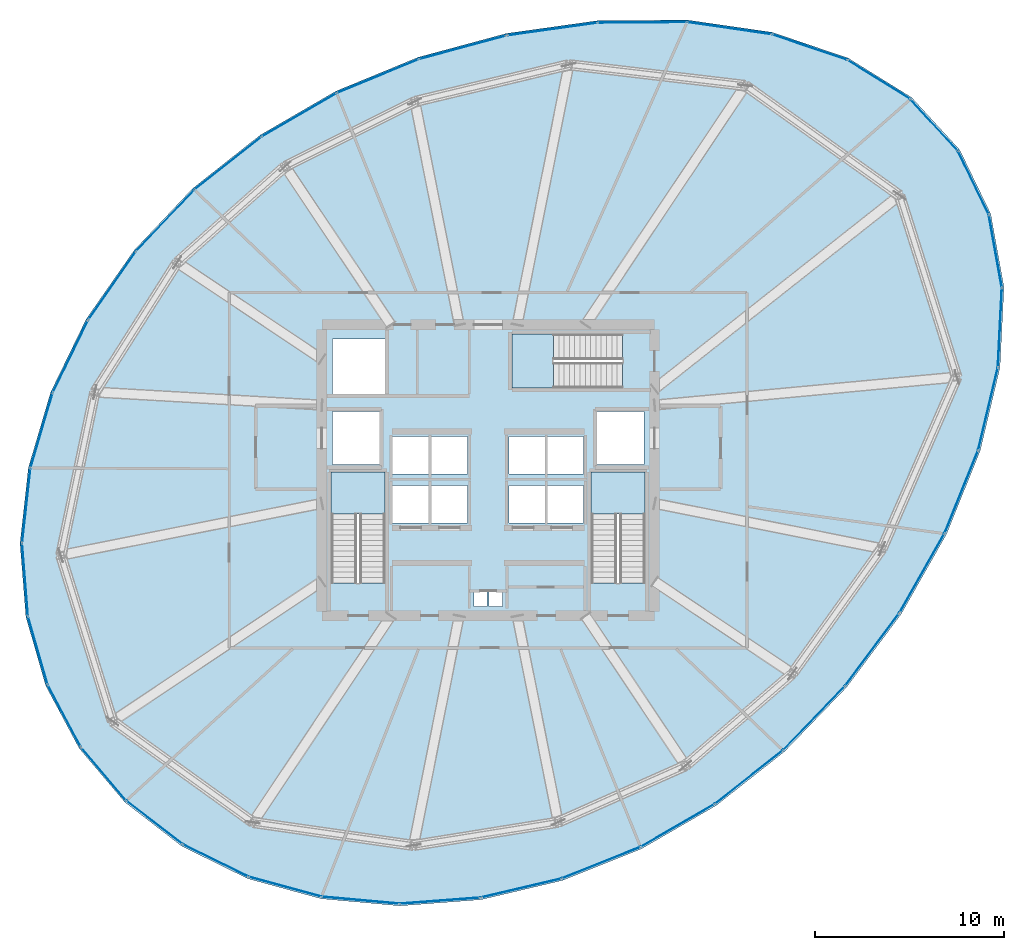
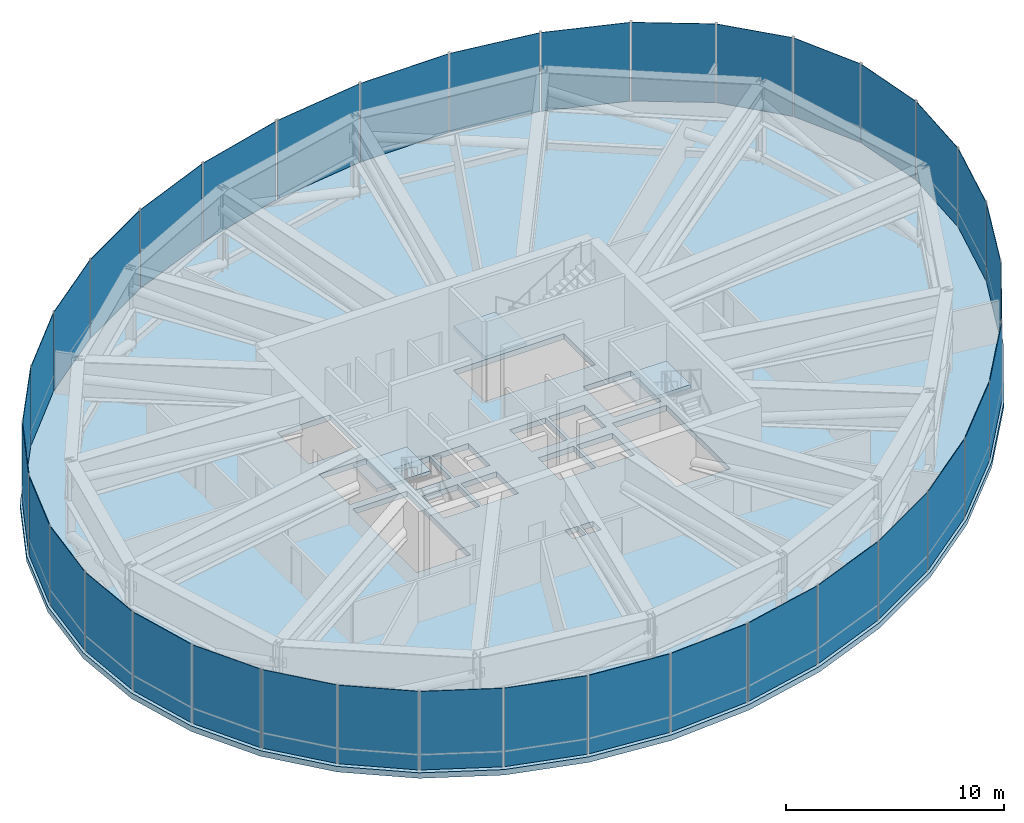
# One storey, part 24 of 30: 36 plates, 4 slabs, 9 elements without a shape of their own.
"""IFC4 building model written with IfcOpenShell, lengths in metres."""

import ifcopenshell
import ifcopenshell.guid

model = None  # the IFC model being written
_history = None  # IfcOwnerHistory: only IFC2X3 demands one
_inside = {}  # id of a spatial element -> (the spatial element, [elements in it])
_under = {}  # id of a project, library or spatial element -> (it, [spatial elements below it])
_declared = {}  # id of a project -> (the project, [libraries it declares])
_typed = {}  # id of a type object -> (the type object, [elements of that type])
_made_of = {}  # id of a material, layer set ... -> (it, [elements and type objects made of it])


def new_model(schema):
    """Start an empty IFC model of exactly this schema.

    Asked for "IFC4X3", IfcOpenShell would pick the latest addendum, in which some entities
    have other attributes; the version numbers below select the first issue.
    IFC2X3 requires an IfcOwnerHistory on every rooted entity: one is made here for all.
    """
    global model, _history
    if schema == "IFC4X3":
        model = ifcopenshell.file(schema_version=(4, 3, 0, 0))
    else:
        model = ifcopenshell.file(schema=schema)
    _inside.clear()
    _under.clear()
    _declared.clear()
    _typed.clear()
    _made_of.clear()
    _history = None
    if model.schema == "IFC2X3":
        org = make("IfcOrganization", Name="unknown")
        user = make(
            "IfcPersonAndOrganization",
            ThePerson=make("IfcPerson", FamilyName="unknown"),
            TheOrganization=org,
        )
        app = make(
            "IfcApplication",
            ApplicationDeveloper=org,
            Version="unknown",
            ApplicationFullName="unknown",
            ApplicationIdentifier="unknown",
        )
        _history = make(
            "IfcOwnerHistory",
            OwningUser=user,
            OwningApplication=app,
            ChangeAction="ADDED",
            CreationDate=0,
        )
    return model


def make(cls, **values):
    """One entity of the class cls with the attributes given. An attribute that is None is left unset."""
    return model.create_entity(
        cls, **{name: value for name, value in values.items() if value is not None}
    )


def rooted(cls, **values):
    """An entity with a GlobalId (a new one), such as an element, a storey or a relation."""
    return make(cls, GlobalId=ifcopenshell.guid.new(), OwnerHistory=_history, **values)


def si_unit(unit_type, name, prefix=None):
    """IfcSIUnit, for example si_unit("LENGTHUNIT", "METRE", prefix="MILLI")."""
    return make("IfcSIUnit", UnitType=unit_type, Prefix=prefix, Name=name)


def assignment(units):
    """IfcUnitAssignment: the units of a project."""
    return None if units is None else make("IfcUnitAssignment", Units=units)


def point(xyz):
    """IfcCartesianPoint."""
    return None if xyz is None else make("IfcCartesianPoint", Coordinates=xyz)


def direction(xyz):
    """IfcDirection."""
    return None if xyz is None else make("IfcDirection", DirectionRatios=xyz)


def frame(location, z_axis=None, x_axis=None):
    """IfcAxis2Placement3D, a coordinate frame: its origin and axes. An axis left out is left unset."""
    return make(
        "IfcAxis2Placement3D",
        Location=point(location),
        Axis=direction(z_axis),
        RefDirection=direction(x_axis),
    )


def frame_2d(location, x_axis=None):
    """IfcAxis2Placement2D, a coordinate frame in the plane: its origin and x axis."""
    return make(
        "IfcAxis2Placement2D", Location=point(location), RefDirection=direction(x_axis)
    )


def origin():
    """The frame at (0, 0, 0) with its axes left unset."""
    return frame((0.0, 0.0, 0.0))


def origin_2d():
    """The frame at (0, 0) in the plane with its x axis left unset."""
    return frame_2d((0.0, 0.0))


def place(relative_to, where):
    """IfcLocalPlacement: puts the frame where relative to a parent placement (None: the world)."""
    return make(
        "IfcLocalPlacement", PlacementRelTo=relative_to, RelativePlacement=where
    )


def context(
    kind, dimensions, precision=None, world=None, true_north=None, identifier=None
):
    """IfcGeometricRepresentationContext, for example the 3D "Model" context."""
    return make(
        "IfcGeometricRepresentationContext",
        ContextIdentifier=identifier,
        ContextType=kind,
        CoordinateSpaceDimension=dimensions,
        Precision=precision,
        WorldCoordinateSystem=world,
        TrueNorth=true_north,
    )


def subcontext(parent, identifier, kind, view, scale=None):
    """IfcGeometricRepresentationSubContext, for example "Body" below "Model"."""
    return make(
        "IfcGeometricRepresentationSubContext",
        ContextIdentifier=identifier,
        ContextType=kind,
        ParentContext=parent,
        TargetScale=scale,
        TargetView=view,
    )


def project(units=None, contexts=None):
    """IfcProject with its units and contexts."""
    return rooted(
        "IfcProject",
        Name="project",
        RepresentationContexts=contexts,
        UnitsInContext=assignment(units),
    )


def spatial(cls, under=None, at=None, **own):
    """A site, building, storey or space (cls), placed at a placement, below another one or the project."""
    s = rooted(cls, ObjectPlacement=at, **own)
    if under is not None:
        _under.setdefault(under.id(), (under, []))[1].append(s)
    return s


def polyline(points):
    """IfcPolyline through the points."""
    return make("IfcPolyline", Points=[point(p) for p in points])


def profile(cls, at=None, kind="AREA", **sizes):
    """A parametric profile (cls). Its sizes go by their IFC names, for example OverallWidth=200.0."""
    return make(cls, ProfileType=kind, Position=at, **sizes)


def rectangle(**sizes):
    """IfcRectangleProfileDef."""
    return profile("IfcRectangleProfileDef", **sizes)


def outline(outer, holes=None, kind="AREA"):
    """IfcArbitraryClosedProfileDef: a profile drawn as a closed curve; with holes, ...WithVoids."""
    if holes is None:
        return make("IfcArbitraryClosedProfileDef", ProfileType=kind, OuterCurve=outer)
    return make(
        "IfcArbitraryProfileDefWithVoids",
        ProfileType=kind,
        OuterCurve=outer,
        InnerCurves=holes,
    )


def extrude(swept, where, along, depth):
    """IfcExtrudedAreaSolid: the profile swept, set in the frame where, extruded along a direction by depth."""
    return make(
        "IfcExtrudedAreaSolid",
        SweptArea=swept,
        Position=where,
        ExtrudedDirection=direction(along),
        Depth=depth,
    )


def shape(context_of_items, identifier, shape_type, items):
    """IfcShapeRepresentation: the items that make up one representation, for example the "Body"."""
    return make(
        "IfcShapeRepresentation",
        ContextOfItems=context_of_items,
        RepresentationIdentifier=identifier,
        RepresentationType=shape_type,
        Items=items,
    )


def source(mapping_origin, context_of_items, identifier, shape_type, items):
    """IfcRepresentationMap: a shape defined once, which mapped items show again and again."""
    return make(
        "IfcRepresentationMap",
        MappingOrigin=mapping_origin,
        MappedRepresentation=shape(context_of_items, identifier, shape_type, items),
    )


def transform(
    local_origin,
    x_axis=None,
    y_axis=None,
    z_axis=None,
    scale=None,
    scale2=None,
    scale3=None,
    uniform=True,
):
    """IfcCartesianTransformationOperator3D, or its non-uniform kind. x_axis, y_axis, z_axis: its Axis1, 2, 3."""
    if uniform:
        return make(
            "IfcCartesianTransformationOperator3D",
            Axis1=direction(x_axis),
            Axis2=direction(y_axis),
            LocalOrigin=point(local_origin),
            Scale=scale,
            Axis3=direction(z_axis),
        )
    return make(
        "IfcCartesianTransformationOperator3DnonUniform",
        Axis1=direction(x_axis),
        Axis2=direction(y_axis),
        LocalOrigin=point(local_origin),
        Scale=scale,
        Axis3=direction(z_axis),
        Scale2=scale2,
        Scale3=scale3,
    )


def mapped(mapping_source, mapping_target):
    """IfcMappedItem: shows the shape of a source again, moved by a transform."""
    return make(
        "IfcMappedItem", MappingSource=mapping_source, MappingTarget=mapping_target
    )


def material(Name=None, Category=None):
    """IfcMaterial."""
    return make("IfcMaterial", Name=Name, Category=Category)


def layer(
    of_material, thickness, ventilated=None, Name=None, Category=None, Priority=None
):
    """IfcMaterialLayer: one layer of a wall or slab, of a material (None: an air gap)."""
    return make(
        "IfcMaterialLayer",
        Material=of_material,
        LayerThickness=thickness,
        IsVentilated=ventilated,
        Name=Name,
        Category=Category,
        Priority=Priority,
    )


def layer_set(layers, Name=None):
    """IfcMaterialLayerSet."""
    return make("IfcMaterialLayerSet", MaterialLayers=layers, LayerSetName=Name)


def made_of(thing, what):
    """Note that an element or type object is made of a material, layer set ...; save() writes the relation."""
    if what is not None:
        _made_of.setdefault(what.id(), (what, []))[1].append(thing)
    return thing


def type_object(cls, material=None, **own):
    """A type object (cls), such as IfcWallType, which elements share."""
    return made_of(rooted(cls, **own), material)


def element(
    cls,
    number,
    at=None,
    inside=None,
    cuts=None,
    type_object=None,
    material=None,
    context=None,
    identifier="Body",
    shape_type=None,
    held_by="IfcProductDefinitionShape",
    body=None,
    shapes=None,
    **own,
):
    """One element of the class cls, such as IfcWall. Its Tag is "e" and its number.

    at: its placement. inside: the storey or other place that contains it. cuts: it is an
    opening in that element (IfcRelVoidsElement). A single representation is given by context,
    identifier, shape_type and body (its items); several are given by shapes. held_by: the class
    of the entity that holds the representations. save() writes the other relations.
    """
    e = rooted(cls, Tag="e%d" % number, ObjectPlacement=at, **own)
    if body is not None:
        shapes = [shape(context, identifier, shape_type, body)]
    if shapes is not None:
        e.Representation = make(held_by, Representations=shapes)
    if inside is not None:
        _inside.setdefault(inside.id(), (inside, []))[1].append(e)
    if cuts is not None:
        rooted(
            "IfcRelVoidsElement", RelatingBuildingElement=cuts, RelatedOpeningElement=e
        )
    if type_object is not None:
        _typed.setdefault(type_object.id(), (type_object, []))[1].append(e)
    return made_of(e, material)


def aggregate(whole, parts):
    """IfcRelAggregates: a whole, such as a stair, and the parts it consists of."""
    return rooted("IfcRelAggregates", RelatingObject=whole, RelatedObjects=parts)


def save(model, path):
    """Write the relations noted so far, then the file.

    IfcRelAggregates (storeys below a building ...), IfcRelContainedInSpatialStructure (elements
    in a storey), IfcRelDefinesByType, IfcRelAssociatesMaterial and IfcRelDeclares: one each for
    every whole, place, type object, material and project.
    """
    for whole, parts in _under.values():
        aggregate(whole, parts)
    for where, things in _inside.values():
        rooted(
            "IfcRelContainedInSpatialStructure",
            RelatedElements=things,
            RelatingStructure=where,
        )
    for kind, things in _typed.values():
        rooted("IfcRelDefinesByType", RelatedObjects=things, RelatingType=kind)
    for what, things in _made_of.values():
        rooted("IfcRelAssociatesMaterial", RelatedObjects=things, RelatingMaterial=what)
    for by, libraries in _declared.values():
        rooted("IfcRelDeclares", RelatingContext=by, RelatedDefinitions=libraries)
    model.write(path)


model = new_model("IFC4")

# Units and contexts
model_context = context("Model", 3, precision=1e-05, world=origin(), true_north=direction((0.0, 1.0)))
body_context = subcontext(model_context, "Body", "Model", "MODEL_VIEW")
ifc_project = project(units=[si_unit("LENGTHUNIT", "METRE"), si_unit("AREAUNIT", "SQUARE_METRE"), si_unit("VOLUMEUNIT", "CUBIC_METRE"), si_unit("PLANEANGLEUNIT", "RADIAN"), si_unit("MASSUNIT", "GRAM", prefix="KILO"), si_unit("THERMODYNAMICTEMPERATUREUNIT", "KELVIN")], contexts=[model_context])

# Site, building, storey
site_placement = place(None, origin())
site = spatial("IfcSite", under=ifc_project, at=site_placement, CompositionType="ELEMENT")
building_placement = place(site_placement, origin())
building = spatial("IfcBuilding", under=site, at=building_placement, Name="Kethvar Cultural Tower", CompositionType="ELEMENT")
storey_placement = place(building_placement, frame((0.0, 0.0, 171.39990234375)))
storey = spatial("IfcBuildingStorey", under=building, at=storey_placement, Name="L44", CompositionType="ELEMENT", Elevation=171.39990234375)

# Slab
ifc_material_1 = material(Name="Concrete C50/60", Category="concrete")
ifc_layer_1 = layer(ifc_material_1, 0.31005859375, Name="Concrete C50/60", Category="concrete")
ifc_layer_set_1 = layer_set([ifc_layer_1], Name="Concrete C50/60 (310 mm)")
slab_type_1 = type_object("IfcSlabType", Name="SL-BELT-310", PredefinedType="FLOOR", material=ifc_layer_set_1)
slab_1_placement = place(storey_placement, frame((0.0, 0.0, -0.309814453125)))
element("IfcSlab", 1, at=slab_1_placement, inside=storey, type_object=slab_type_1, Name="L44 Structural Floor Slab", PredefinedType="FLOOR", context=body_context, shape_type="SweptSolid", body=[
    extrude(outline(polyline([(71.7509765625, 44.756591796875), (69.2041015625, 47.529541015625), (65.845458984375, 49.614013671875), (61.823486328125, 50.97802734375), (57.327880859375, 51.62646484375), (52.57080078125, 51.59033203125), (47.763916015625, 50.916748046875), (43.09814453125, 49.656494140625), (38.7255859375, 47.854736328125), (34.742431640625, 45.5419921875), (31.16748046875, 42.718505859375), (28.0673828125, 39.441650390625), (25.53662109375, 35.810791015625), (23.65185546875, 31.93701171875), (22.470458984375, 27.937255859375), (22.0283203125, 23.933349609375), (22.338623046875, 20.046875), (23.392333984375, 16.39599609375), (25.157470703125, 13.091796875), (27.580078125, 10.234375), (30.58642578125, 7.91064453125), (34.085693359375, 6.191162109375), (37.97119140625, 5.12841796875), (42.125, 4.75439453125), (46.4208984375, 5.080810546875), (50.72802734375, 6.097412109375), (54.916015625, 7.7734375), (58.857421875, 10.057861328125), (62.47412109375, 12.909912109375), (65.7587890625, 16.312255859375), (68.648193359375, 20.1865234375), (71.044189453125, 24.407958984375), (72.828857421875, 28.817626953125), (73.880859375, 33.236083984375), (74.09326171875, 37.477783203125), (73.3916015625, 41.367919921875), (71.7509765625, 44.756591796875)]), holes=[polyline([(38.489990234375, 21.85009765625), (38.489990234375, 27.699951171875), (41.35009765625, 27.699951171875), (41.35009765625, 21.85009765625), (38.489990234375, 21.85009765625)]), polyline([(52.25, 21.85009765625), (52.25, 27.699951171875), (55.110107421875, 27.699951171875), (55.110107421875, 21.85009765625), (52.25, 21.85009765625)]), polyline([(53.89990234375, 32.14990234375), (48.050048828125, 32.14990234375), (48.050048828125, 35.010009765625), (53.89990234375, 35.010009765625), (53.89990234375, 32.14990234375)]), polyline([(41.75, 27.0), (43.64990234375, 27.0), (43.64990234375, 25.0), (41.75, 25.0), (41.75, 27.0)]), polyline([(43.800048828125, 27.0), (45.699951171875, 27.0), (45.699951171875, 25.0), (43.800048828125, 25.0), (43.800048828125, 27.0)]), polyline([(47.89990234375, 27.0), (49.800048828125, 27.0), (49.800048828125, 25.0), (47.89990234375, 25.0), (47.89990234375, 27.0)]), polyline([(49.949951171875, 27.0), (51.85009765625, 27.0), (51.85009765625, 25.0), (49.949951171875, 25.0), (49.949951171875, 27.0)]), polyline([(41.75, 29.60009765625), (43.64990234375, 29.60009765625), (43.64990234375, 27.60009765625), (41.75, 27.60009765625), (41.75, 29.60009765625)]), polyline([(43.800048828125, 29.60009765625), (45.699951171875, 29.60009765625), (45.699951171875, 27.60009765625), (43.800048828125, 27.60009765625), (43.800048828125, 29.60009765625)]), polyline([(47.89990234375, 29.60009765625), (49.800048828125, 29.60009765625), (49.800048828125, 27.60009765625), (47.89990234375, 27.60009765625), (47.89990234375, 29.60009765625)]), polyline([(49.949951171875, 29.60009765625), (51.85009765625, 29.60009765625), (51.85009765625, 27.60009765625), (49.949951171875, 27.60009765625), (49.949951171875, 29.60009765625)]), polyline([(38.550048828125, 30.89990234375), (41.050048828125, 30.89990234375), (41.050048828125, 28.10009765625), (38.550048828125, 28.10009765625), (38.550048828125, 30.89990234375)]), polyline([(52.550048828125, 30.89990234375), (55.050048828125, 30.89990234375), (55.050048828125, 28.10009765625), (52.550048828125, 28.10009765625), (52.550048828125, 30.89990234375)]), polyline([(38.550048828125, 34.75), (41.35009765625, 34.75), (41.35009765625, 31.85009765625), (38.550048828125, 31.85009765625), (38.550048828125, 34.75)]), polyline([(46.050048828125, 21.35009765625), (46.75, 21.35009765625), (46.75, 20.60009765625), (46.050048828125, 20.60009765625), (46.050048828125, 21.35009765625)]), polyline([(46.85009765625, 21.35009765625), (47.550048828125, 21.35009765625), (47.550048828125, 20.60009765625), (46.85009765625, 20.60009765625), (46.85009765625, 21.35009765625)])]), origin(), (0.0, 0.0, 1.0), 0.309814453125),
])

# Stair, slab
ifc_material_2 = material(Name="Concrete C40/50", Category="concrete")
stair_type = type_object("IfcStairType", Name="ST-DOGLEG-135", PredefinedType="HALF_TURN_STAIR", material=ifc_material_2)
stair_1_placement = place(storey_placement, origin())
stair_1 = element("IfcStair", 2, at=stair_1_placement, inside=storey, type_object=stair_type, Name="L44 Core Exit Stair 1", PredefinedType="HALF_TURN_STAIR")
ifc_layer_2 = layer(ifc_material_2, 0.199951171875, Name="Concrete C40/50", Category="concrete")
ifc_layer_set_2 = layer_set([ifc_layer_2], Name="Concrete C40/50 (200 mm)")
slab_type_2 = type_object("IfcSlabType", Name="SL-STAIR-LANDING-200", PredefinedType="LANDING", material=ifc_layer_set_2)
slab_2_placement = place(storey_placement, frame((0.0, 0.0, 2.300048828125)))
slab_2 = element("IfcSlab", 3, at=slab_2_placement, type_object=slab_type_2, Name="ST-01 landing 1", PredefinedType="LANDING", context=body_context, shape_type="SweptSolid", body=[
    extrude(outline(polyline([(41.35009765625, 25.489990234375), (41.35009765625, 27.699951171875), (38.489990234375, 27.699951171875), (38.489990234375, 25.489990234375), (41.35009765625, 25.489990234375)])), origin(), (0.0, 0.0, 1.0), 0.199951171875),
])
aggregate(stair_1, [slab_2])

stair_2_placement = place(storey_placement, origin())
stair_2 = element("IfcStair", 4, at=stair_2_placement, inside=storey, type_object=stair_type, Name="L44 Core Exit Stair 2", PredefinedType="HALF_TURN_STAIR")
slab_3_placement = place(storey_placement, frame((0.0, 0.0, 2.300048828125)))
slab_3 = element("IfcSlab", 5, at=slab_3_placement, type_object=slab_type_2, Name="ST-02 landing 1", PredefinedType="LANDING", context=body_context, shape_type="SweptSolid", body=[
    extrude(outline(polyline([(55.110107421875, 25.489990234375), (55.110107421875, 27.699951171875), (52.25, 27.699951171875), (52.25, 25.489990234375), (55.110107421875, 25.489990234375)])), origin(), (0.0, 0.0, 1.0), 0.199951171875),
])
aggregate(stair_2, [slab_3])

stair_3_placement = place(storey_placement, origin())
stair_3 = element("IfcStair", 6, at=stair_3_placement, inside=storey, type_object=stair_type, Name="L44 Core Exit Stair 3", PredefinedType="HALF_TURN_STAIR")
slab_4_placement = place(storey_placement, frame((0.0, 0.0, 2.300048828125)))
slab_4 = element("IfcSlab", 7, at=slab_4_placement, type_object=slab_type_2, Name="ST-03 landing 1", PredefinedType="LANDING", context=body_context, shape_type="SweptSolid", body=[
    extrude(outline(polyline([(50.260009765625, 35.010009765625), (48.050048828125, 35.010009765625), (48.050048828125, 32.14990234375), (50.260009765625, 32.14990234375), (50.260009765625, 35.010009765625)])), origin(), (0.0, 0.0, 1.0), 0.199951171875),
])
aggregate(stair_3, [slab_4])

# Curtain wall, plate
ifc_material_3 = material(Name="Aluminium 6063-T6", Category="aluminium")
ifc_layer_3 = layer(ifc_material_3, 0.179931640625, Name="Aluminium 6063-T6", Category="aluminium")
ifc_layer_set_3 = layer_set([ifc_layer_3], Name="Aluminium 6063-T6 (180 mm)")
curtain_wall_type = type_object("IfcCurtainWallType", Name="CW-SYS-04-Z34", PredefinedType="NOTDEFINED", material=ifc_layer_set_3)
curtain_wall_1_placement = place(storey_placement, origin())
curtain_wall_1 = element("IfcCurtainWall", 8, at=curtain_wall_1_placement, inside=storey, type_object=curtain_wall_type, Name="L44 Curtain Wall Run 01", PredefinedType="NOTDEFINED")
ifc_material_4 = material(Name="Insulated Low-E Solar Glass", Category="glass")
ifc_layer_4 = layer(ifc_material_4, 0.030029296875, Name="Insulated Low-E Solar Glass", Category="glass")
ifc_layer_set_4 = layer_set([ifc_layer_4], Name="Insulated Low-E Solar Glass (30 mm)")
plate_type = type_object("IfcPlateType", Name="CW-SYS-04-Z34-PNL", PredefinedType="CURTAIN_PANEL", material=ifc_layer_set_4)
shared_shape_1 = source(origin(), body_context, "Body", "SweptSolid", [
    extrude(rectangle(XDim=3.6787109375, YDim=0.030029296875, at=origin_2d()), origin(), (0.0, 0.0, 1.0), 4.39990234375),
])
plate_1_placement = place(storey_placement, frame((70.396484375, 46.068603515625, 0.090087890625), z_axis=(0.0, 0.0, 1.0), x_axis=(-0.676426187298, 0.736510429755, 0.0)))
plate_1 = element("IfcPlate", 9, at=plate_1_placement, type_object=plate_type, Name="CW-L44-R01 Vision Glazing Panel 1", PredefinedType="CURTAIN_PANEL", context=body_context, shape_type="MappedRepresentation", body=[
    mapped(shared_shape_1, transform((0.0, 0.0, 0.0), scale=1.0)),
])

curtain_wall_2_placement = place(storey_placement, origin())
curtain_wall_2 = element("IfcCurtainWall", 10, at=curtain_wall_2_placement, inside=storey, type_object=curtain_wall_type, Name="L44 Curtain Wall Run 06", PredefinedType="NOTDEFINED")
plate_2_placement = place(storey_placement, frame((72.472412109375, 43.014404296875, 0.090087890625), z_axis=(0.0, 0.0, 1.0), x_axis=(-0.435796700392, 0.90004512994, 0.0)))
plate_2 = element("IfcPlate", 11, at=plate_2_placement, type_object=plate_type, Name="CW-L44-R06 Vision Glazing Panel 6", PredefinedType="CURTAIN_PANEL", context=body_context, shape_type="MappedRepresentation", body=[
    mapped(shared_shape_1, transform((0.0, 0.0, 0.0), scale=1.0)),
])

# Plate
shared_shape_2 = source(origin(), body_context, "Body", "SweptSolid", [
    extrude(rectangle(XDim=3.86669921875, YDim=0.030029296875, at=origin_2d()), origin(), (0.0, 0.0, 1.0), 4.39990234375),
])
plate_3_placement = place(storey_placement, frame((67.466796875, 48.478271484375, 0.090087890625), z_axis=(0.0, 0.0, 1.0), x_axis=(-0.849671887705, 0.527311751475, 0.0)))
plate_3 = element("IfcPlate", 12, at=plate_3_placement, type_object=plate_type, Name="CW-L44-R01 Vision Glazing Panel 2", PredefinedType="CURTAIN_PANEL", context=body_context, shape_type="MappedRepresentation", body=[
    mapped(shared_shape_2, transform((0.0, 0.0, 0.0), scale=1.0)),
])

plate_4_placement = place(storey_placement, frame((73.63427734375, 39.4033203125, 0.090087890625), z_axis=(0.0, 0.0, 1.0), x_axis=(-0.177462631241, 0.98412753976, 0.0)))
plate_4 = element("IfcPlate", 13, at=plate_4_placement, type_object=plate_type, Name="CW-L44-R06 Vision Glazing Panel 5", PredefinedType="CURTAIN_PANEL", context=body_context, shape_type="MappedRepresentation", body=[
    mapped(shared_shape_2, transform((0.0, 0.0, 0.0), scale=1.0)),
])

shared_shape_3 = source(origin(), body_context, "Body", "SweptSolid", [
    extrude(rectangle(XDim=4.16064453125, YDim=0.030029296875, at=origin_2d()), origin(), (0.0, 0.0, 1.0), 4.39990234375),
])
plate_5_placement = place(storey_placement, frame((63.799072265625, 50.19189453125, 0.090087890625), z_axis=(0.0, 0.0, 1.0), x_axis=(-0.947019855404, 0.321175019997, 0.0)))
plate_5 = element("IfcPlate", 14, at=plate_5_placement, type_object=plate_type, Name="CW-L44-R01 Vision Glazing Panel 3", PredefinedType="CURTAIN_PANEL", context=body_context, shape_type="MappedRepresentation", body=[
    mapped(shared_shape_3, transform((0.0, 0.0, 0.0), scale=1.0)),
])

plate_6_placement = place(storey_placement, frame((73.877197265625, 35.3623046875, 0.090087890625), z_axis=(0.0, 0.0, 1.0), x_axis=(0.049982847737, 0.998750076311, 0.0)))
plate_6 = element("IfcPlate", 15, at=plate_6_placement, type_object=plate_type, Name="CW-L44-R06 Vision Glazing Panel 4", PredefinedType="CURTAIN_PANEL", context=body_context, shape_type="MappedRepresentation", body=[
    mapped(shared_shape_3, transform((0.0, 0.0, 0.0), scale=1.0)),
])

shared_shape_4 = source(origin(), body_context, "Body", "SweptSolid", [
    extrude(rectangle(XDim=4.455322265625, YDim=0.030029296875, at=origin_2d()), origin(), (0.0, 0.0, 1.0), 4.39990234375),
])
plate_7_placement = place(storey_placement, frame((59.56005859375, 51.193359375, 0.090087890625), z_axis=(0.0, 0.0, 1.0), x_axis=(-0.989756306504, 0.142767131147, 0.0)))
plate_7 = element("IfcPlate", 16, at=plate_7_placement, type_object=plate_type, Name="CW-L44-R01 Vision Glazing Panel 4", PredefinedType="CURTAIN_PANEL", context=body_context, shape_type="MappedRepresentation", body=[
    mapped(shared_shape_4, transform((0.0, 0.0, 0.0), scale=1.0)),
])

shared_shape_5 = source(origin(), body_context, "Body", "SweptSolid", [
    extrude(rectangle(XDim=4.6708984375, YDim=0.030029296875, at=origin_2d()), origin(), (0.0, 0.0, 1.0), 4.39990234375),
])
plate_8_placement = place(storey_placement, frame((54.9501953125, 51.498291015625, 0.090087890625), z_axis=(0.0, 0.0, 1.0), x_axis=(-0.999971179523, -0.007592109309, 0.0)))
plate_8 = element("IfcPlate", 17, at=plate_8_placement, type_object=plate_type, Name="CW-L44-R01 Vision Glazing Panel 5", PredefinedType="CURTAIN_PANEL", context=body_context, shape_type="MappedRepresentation", body=[
    mapped(shared_shape_5, transform((0.0, 0.0, 0.0), scale=1.0)),
])

plate_9_placement = place(storey_placement, frame((71.83447265625, 26.654052734375, 0.090087890625), z_axis=(0.0, 0.0, 1.0), x_axis=(0.375156729402, 0.926961395304, 0.0)))
plate_9 = element("IfcPlate", 18, at=plate_9_placement, type_object=plate_type, Name="CW-L44-R06 Vision Glazing Panel 2", PredefinedType="CURTAIN_PANEL", context=body_context, shape_type="MappedRepresentation", body=[
    mapped(shared_shape_5, transform((0.0, 0.0, 0.0), scale=1.0)),
])

shared_shape_6 = source(origin(), body_context, "Body", "SweptSolid", [
    extrude(rectangle(XDim=4.767578125, YDim=0.030029296875, at=origin_2d()), origin(), (0.0, 0.0, 1.0), 4.39990234375),
])
plate_10_placement = place(storey_placement, frame((50.1826171875, 51.14453125, 0.090087890625), z_axis=(0.0, 0.0, 1.0), x_axis=(-0.990323856616, -0.138775570677, 0.0)))
plate_10 = element("IfcPlate", 19, at=plate_10_placement, type_object=plate_type, Name="CW-L44-R01 Vision Glazing Panel 6", PredefinedType="CURTAIN_PANEL", context=body_context, shape_type="MappedRepresentation", body=[
    mapped(shared_shape_6, transform((0.0, 0.0, 0.0), scale=1.0)),
])

aggregate(curtain_wall_1, [plate_1, plate_3, plate_5, plate_7, plate_8, plate_10])

# Curtain wall, plate
curtain_wall_3_placement = place(storey_placement, origin())
curtain_wall_3 = element("IfcCurtainWall", 20, at=curtain_wall_3_placement, inside=storey, type_object=curtain_wall_type, Name="L44 Curtain Wall Run 02", PredefinedType="NOTDEFINED")
shared_shape_7 = source(origin(), body_context, "Body", "SweptSolid", [
    extrude(rectangle(XDim=4.74658203125, YDim=0.030029296875, at=origin_2d()), origin(), (0.0, 0.0, 1.0), 4.39990234375),
])
plate_11_placement = place(storey_placement, frame((45.459716796875, 50.180419921875, 0.090087890625), z_axis=(0.0, 0.0, 1.0), x_axis=(-0.965399846653, -0.260774109302, 0.0)))
plate_11 = element("IfcPlate", 21, at=plate_11_placement, type_object=plate_type, Name="CW-L44-R02 Vision Glazing Panel 1", PredefinedType="CURTAIN_PANEL", context=body_context, shape_type="MappedRepresentation", body=[
    mapped(shared_shape_7, transform((0.0, 0.0, 0.0), scale=1.0)),
])

curtain_wall_4_placement = place(storey_placement, origin())
curtain_wall_4 = element("IfcCurtainWall", 22, at=curtain_wall_4_placement, inside=storey, type_object=curtain_wall_type, Name="L44 Curtain Wall Run 05", PredefinedType="NOTDEFINED")
plate_12_placement = place(storey_placement, frame((67.115478515625, 18.315185546875, 0.090087890625), z_axis=(0.0, 0.0, 1.0), x_axis=(0.597835030866, 0.801619158872, 0.0)))
plate_12 = element("IfcPlate", 23, at=plate_12_placement, type_object=plate_type, Name="CW-L44-R05 Vision Glazing Panel 6", PredefinedType="CURTAIN_PANEL", context=body_context, shape_type="MappedRepresentation", body=[
    mapped(shared_shape_7, transform((0.0, 0.0, 0.0), scale=1.0)),
])

# Plate
shared_shape_8 = source(origin(), body_context, "Body", "SweptSolid", [
    extrude(rectangle(XDim=4.642822265625, YDim=0.030029296875, at=origin_2d()), origin(), (0.0, 0.0, 1.0), 4.39990234375),
])
plate_13_placement = place(storey_placement, frame((40.95361328125, 48.65380859375, 0.090087890625), z_axis=(0.0, 0.0, 1.0), x_axis=(-0.924599232062, -0.380941281657, 0.0)))
plate_13 = element("IfcPlate", 24, at=plate_13_placement, type_object=plate_type, Name="CW-L44-R02 Vision Glazing Panel 2", PredefinedType="CURTAIN_PANEL", context=body_context, shape_type="MappedRepresentation", body=[
    mapped(shared_shape_8, transform((0.0, 0.0, 0.0), scale=1.0)),
])

plate_14_placement = place(storey_placement, frame((64.037353515625, 14.6875, 0.090087890625), z_axis=(0.0, 0.0, 1.0), x_axis=(0.694557924904, 0.719436785932, 0.0)))
plate_14 = element("IfcPlate", 25, at=plate_14_placement, type_object=plate_type, Name="CW-L44-R05 Vision Glazing Panel 5", PredefinedType="CURTAIN_PANEL", context=body_context, shape_type="MappedRepresentation", body=[
    mapped(shared_shape_8, transform((0.0, 0.0, 0.0), scale=1.0)),
])

shared_shape_9 = source(origin(), body_context, "Body", "SweptSolid", [
    extrude(rectangle(XDim=4.519287109375, YDim=0.030029296875, at=origin_2d()), origin(), (0.0, 0.0, 1.0), 4.39990234375),
])
plate_15_placement = place(storey_placement, frame((36.789306640625, 46.603271484375, 0.090087890625), z_axis=(0.0, 0.0, 1.0), x_axis=(-0.864792325537, -0.502129698078, 0.0)))
plate_15 = element("IfcPlate", 26, at=plate_15_placement, type_object=plate_type, Name="CW-L44-R02 Vision Glazing Panel 3", PredefinedType="CURTAIN_PANEL", context=body_context, shape_type="MappedRepresentation", body=[
    mapped(shared_shape_9, transform((0.0, 0.0, 0.0), scale=1.0)),
])

plate_16_placement = place(storey_placement, frame((60.59765625, 11.5703125, 0.090087890625), z_axis=(0.0, 0.0, 1.0), x_axis=(0.785230481404, 0.619203594204, 0.0)))
plate_16 = element("IfcPlate", 27, at=plate_16_placement, type_object=plate_type, Name="CW-L44-R05 Vision Glazing Panel 4", PredefinedType="CURTAIN_PANEL", context=body_context, shape_type="MappedRepresentation", body=[
    mapped(shared_shape_9, transform((0.0, 0.0, 0.0), scale=1.0)),
])

shared_shape_10 = source(origin(), body_context, "Body", "SweptSolid", [
    extrude(rectangle(XDim=4.46923828125, YDim=0.030029296875, at=origin_2d()), origin(), (0.0, 0.0, 1.0), 4.39990234375),
])
plate_17_placement = place(storey_placement, frame((33.023193359375, 44.0439453125, 0.090087890625), z_axis=(0.0, 0.0, 1.0), x_axis=(-0.784754735685, -0.619806425281, 0.0)))
plate_17 = element("IfcPlate", 28, at=plate_17_placement, type_object=plate_type, Name="CW-L44-R02 Vision Glazing Panel 4", PredefinedType="CURTAIN_PANEL", context=body_context, shape_type="MappedRepresentation", body=[
    mapped(shared_shape_10, transform((0.0, 0.0, 0.0), scale=1.0)),
])

plate_18_placement = place(storey_placement, frame((56.83154296875, 9.0107421875, 0.090087890625), z_axis=(0.0, 0.0, 1.0), x_axis=(0.865177678425, 0.50146543725, 0.0)))
plate_18 = element("IfcPlate", 29, at=plate_18_placement, type_object=plate_type, Name="CW-L44-R05 Vision Glazing Panel 3", PredefinedType="CURTAIN_PANEL", context=body_context, shape_type="MappedRepresentation", body=[
    mapped(shared_shape_10, transform((0.0, 0.0, 0.0), scale=1.0)),
])

shared_shape_11 = source(origin(), body_context, "Body", "SweptSolid", [
    extrude(rectangle(XDim=4.42431640625, YDim=0.030029296875, at=origin_2d()), origin(), (0.0, 0.0, 1.0), 4.39990234375),
])
plate_19_placement = place(storey_placement, frame((29.697509765625, 41.00439453125, 0.090087890625), z_axis=(0.0, 0.0, 1.0), x_axis=(-0.687226990464, -0.726442746249, 0.0)))
plate_19 = element("IfcPlate", 30, at=plate_19_placement, type_object=plate_type, Name="CW-L44-R02 Vision Glazing Panel 5", PredefinedType="CURTAIN_PANEL", context=body_context, shape_type="MappedRepresentation", body=[
    mapped(shared_shape_11, transform((0.0, 0.0, 0.0), scale=1.0)),
])

shared_shape_12 = source(origin(), body_context, "Body", "SweptSolid", [
    extrude(rectangle(XDim=4.33935546875, YDim=0.030029296875, at=origin_2d()), origin(), (0.0, 0.0, 1.0), 4.39990234375),
])
plate_20_placement = place(storey_placement, frame((26.89208984375, 37.563232421875, 0.090087890625), z_axis=(0.0, 0.0, 1.0), x_axis=(-0.571859551582, -0.820351542489, 0.0)))
plate_20 = element("IfcPlate", 31, at=plate_20_placement, type_object=plate_type, Name="CW-L44-R02 Vision Glazing Panel 6", PredefinedType="CURTAIN_PANEL", context=body_context, shape_type="MappedRepresentation", body=[
    mapped(shared_shape_12, transform((0.0, 0.0, 0.0), scale=1.0)),
])

aggregate(curtain_wall_3, [plate_11, plate_13, plate_15, plate_17, plate_19, plate_20])

# Curtain wall, plate
curtain_wall_5_placement = place(storey_placement, origin())
curtain_wall_5 = element("IfcCurtainWall", 32, at=curtain_wall_5_placement, inside=storey, type_object=curtain_wall_type, Name="L44 Curtain Wall Run 03", PredefinedType="NOTDEFINED")
shared_shape_13 = source(origin(), body_context, "Body", "SweptSolid", [
    extrude(rectangle(XDim=4.2216796875, YDim=0.030029296875, at=origin_2d()), origin(), (0.0, 0.0, 1.0), 4.39990234375),
])
plate_21_placement = place(storey_placement, frame((24.693115234375, 33.82568359375, 0.090087890625), z_axis=(0.0, 0.0, 1.0), x_axis=(-0.437492470283, -0.899222074043, 0.0)))
plate_21 = element("IfcPlate", 33, at=plate_21_placement, type_object=plate_type, Name="CW-L44-R03 Vision Glazing Panel 1", PredefinedType="CURTAIN_PANEL", context=body_context, shape_type="MappedRepresentation", body=[
    mapped(shared_shape_13, transform((0.0, 0.0, 0.0), scale=1.0)),
])

curtain_wall_6_placement = place(storey_placement, origin())
curtain_wall_6 = element("IfcCurtainWall", 34, at=curtain_wall_6_placement, inside=storey, type_object=curtain_wall_type, Name="L44 Curtain Wall Run 04", PredefinedType="NOTDEFINED")
plate_22_placement = place(storey_placement, frame((44.264404296875, 5.02734375, 0.090087890625), z_axis=(0.0, 0.0, 1.0), x_axis=(0.997127259962, 0.075744487851, 0.0)))
plate_22 = element("IfcPlate", 35, at=plate_22_placement, type_object=plate_type, Name="CW-L44-R04 Vision Glazing Panel 6", PredefinedType="CURTAIN_PANEL", context=body_context, shape_type="MappedRepresentation", body=[
    mapped(shared_shape_13, transform((0.0, 0.0, 0.0), scale=1.0)),
])

# Plate
shared_shape_14 = source(origin(), body_context, "Body", "SweptSolid", [
    extrude(rectangle(XDim=4.083984375, YDim=0.030029296875, at=origin_2d()), origin(), (0.0, 0.0, 1.0), 4.39990234375),
])
plate_23_placement = place(storey_placement, frame((23.16650390625, 29.906005859375, 0.090087890625), z_axis=(0.0, 0.0, 1.0), x_axis=(-0.283278940331, -0.959037560247, 0.0)))
plate_23 = element("IfcPlate", 36, at=plate_23_placement, type_object=plate_type, Name="CW-L44-R03 Vision Glazing Panel 2", PredefinedType="CURTAIN_PANEL", context=body_context, shape_type="MappedRepresentation", body=[
    mapped(shared_shape_14, transform((0.0, 0.0, 0.0), scale=1.0)),
])

shared_shape_15 = source(origin(), body_context, "Body", "SweptSolid", [
    extrude(rectangle(XDim=3.94189453125, YDim=0.030029296875, at=origin_2d()), origin(), (0.0, 0.0, 1.0), 4.39990234375),
])
plate_24_placement = place(storey_placement, frame((22.358642578125, 25.923095703125, 0.090087890625), z_axis=(0.0, 0.0, 1.0), x_axis=(-0.109769006807, -0.9939571244, 0.0)))
plate_24 = element("IfcPlate", 37, at=plate_24_placement, type_object=plate_type, Name="CW-L44-R03 Vision Glazing Panel 3", PredefinedType="CURTAIN_PANEL", context=body_context, shape_type="MappedRepresentation", body=[
    mapped(shared_shape_15, transform((0.0, 0.0, 0.0), scale=1.0)),
])

plate_25_placement = place(storey_placement, frame((36.0576171875, 5.765869140625, 0.090087890625), z_axis=(0.0, 0.0, 1.0), x_axis=(0.964566628777, -0.263839380399, 0.0)))
plate_25 = element("IfcPlate", 38, at=plate_25_placement, type_object=plate_type, Name="CW-L44-R04 Vision Glazing Panel 4", PredefinedType="CURTAIN_PANEL", context=body_context, shape_type="MappedRepresentation", body=[
    mapped(shared_shape_15, transform((0.0, 0.0, 0.0), scale=1.0)),
])

shared_shape_16 = source(origin(), body_context, "Body", "SweptSolid", [
    extrude(rectangle(XDim=3.8125, YDim=0.030029296875, at=origin_2d()), origin(), (0.0, 0.0, 1.0), 4.39990234375),
])
plate_26_placement = place(storey_placement, frame((22.293212890625, 21.998779296875, 0.090087890625), z_axis=(0.0, 0.0, 1.0), x_axis=(0.079642205503, -0.996823514521, 0.0)))
plate_26 = element("IfcPlate", 39, at=plate_26_placement, type_object=plate_type, Name="CW-L44-R03 Vision Glazing Panel 4", PredefinedType="CURTAIN_PANEL", context=body_context, shape_type="MappedRepresentation", body=[
    mapped(shared_shape_16, transform((0.0, 0.0, 0.0), scale=1.0)),
])

plate_27_placement = place(storey_placement, frame((32.384521484375, 7.149658203125, 0.090087890625), z_axis=(0.0, 0.0, 1.0), x_axis=(0.897504813107, -0.441004660349, 0.0)))
plate_27 = element("IfcPlate", 40, at=plate_27_placement, type_object=plate_type, Name="CW-L44-R04 Vision Glazing Panel 3", PredefinedType="CURTAIN_PANEL", context=body_context, shape_type="MappedRepresentation", body=[
    mapped(shared_shape_16, transform((0.0, 0.0, 0.0), scale=1.0)),
])

shared_shape_17 = source(origin(), body_context, "Body", "SweptSolid", [
    extrude(rectangle(XDim=3.71337890625, YDim=0.030029296875, at=origin_2d()), origin(), (0.0, 0.0, 1.0), 4.39990234375),
])
plate_28_placement = place(storey_placement, frame((22.97119140625, 18.251953125, 0.090087890625), z_axis=(0.0, 0.0, 1.0), x_axis=(0.277297884501, -0.960783994065, 0.0)))
plate_28 = element("IfcPlate", 41, at=plate_28_placement, type_object=plate_type, Name="CW-L44-R03 Vision Glazing Panel 5", PredefinedType="CURTAIN_PANEL", context=body_context, shape_type="MappedRepresentation", body=[
    mapped(shared_shape_17, transform((0.0, 0.0, 0.0), scale=1.0)),
])

plate_29_placement = place(storey_placement, frame((29.150390625, 9.159423828125, 0.090087890625), z_axis=(0.0, 0.0, 1.0), x_axis=(0.791223532967, -0.611527040186, 0.0)))
plate_29 = element("IfcPlate", 42, at=plate_29_placement, type_object=plate_type, Name="CW-L44-R04 Vision Glazing Panel 2", PredefinedType="CURTAIN_PANEL", context=body_context, shape_type="MappedRepresentation", body=[
    mapped(shared_shape_17, transform((0.0, 0.0, 0.0), scale=1.0)),
])

shared_shape_18 = source(origin(), body_context, "Body", "SweptSolid", [
    extrude(rectangle(XDim=3.659912109375, YDim=0.030029296875, at=origin_2d()), origin(), (0.0, 0.0, 1.0), 4.39990234375),
])
plate_30_placement = place(storey_placement, frame((24.371826171875, 14.795654296875, 0.090087890625), z_axis=(0.0, 0.0, 1.0), x_axis=(0.471150439572, -0.882052868762, 0.0)))
plate_30 = element("IfcPlate", 43, at=plate_30_placement, type_object=plate_type, Name="CW-L44-R03 Vision Glazing Panel 6", PredefinedType="CURTAIN_PANEL", context=body_context, shape_type="MappedRepresentation", body=[
    mapped(shared_shape_18, transform((0.0, 0.0, 0.0), scale=1.0)),
])

aggregate(curtain_wall_5, [plate_21, plate_23, plate_24, plate_26, plate_28, plate_30])

plate_31_placement = place(storey_placement, frame((26.45263671875, 11.734130859375, 0.090087890625), z_axis=(0.0, 0.0, 1.0), x_axis=(0.646683284618, -0.762758631151, 0.0)))
plate_31 = element("IfcPlate", 44, at=plate_31_placement, type_object=plate_type, Name="CW-L44-R04 Vision Glazing Panel 1", PredefinedType="CURTAIN_PANEL", context=body_context, shape_type="MappedRepresentation", body=[
    mapped(shared_shape_18, transform((0.0, 0.0, 0.0), scale=1.0)),
])

shared_shape_19 = source(origin(), body_context, "Body", "SweptSolid", [
    extrude(rectangle(XDim=4.084228515625, YDim=0.030029296875, at=origin_2d()), origin(), (0.0, 0.0, 1.0), 4.39990234375),
])
plate_32_placement = place(storey_placement, frame((40.057861328125, 5.051025390625, 0.090087890625), z_axis=(0.0, 0.0, 1.0), x_axis=(0.995972505796, -0.089659175206, 0.0)))
plate_32 = element("IfcPlate", 45, at=plate_32_placement, type_object=plate_type, Name="CW-L44-R04 Vision Glazing Panel 5", PredefinedType="CURTAIN_PANEL", context=body_context, shape_type="MappedRepresentation", body=[
    mapped(shared_shape_19, transform((0.0, 0.0, 0.0), scale=1.0)),
])

aggregate(curtain_wall_6, [plate_31, plate_29, plate_27, plate_25, plate_32, plate_22])

shared_shape_20 = source(origin(), body_context, "Body", "SweptSolid", [
    extrude(rectangle(XDim=4.339111328125, YDim=0.030029296875, at=origin_2d()), origin(), (0.0, 0.0, 1.0), 4.39990234375),
])
plate_33_placement = place(storey_placement, frame((48.54931640625, 5.696044921875, 0.090087890625), z_axis=(0.0, 0.0, 1.0), x_axis=(0.973259115993, 0.229710019669, 0.0)))
plate_33 = element("IfcPlate", 46, at=plate_33_placement, type_object=plate_type, Name="CW-L44-R05 Vision Glazing Panel 1", PredefinedType="CURTAIN_PANEL", context=body_context, shape_type="MappedRepresentation", body=[
    mapped(shared_shape_20, transform((0.0, 0.0, 0.0), scale=1.0)),
])

shared_shape_21 = source(origin(), body_context, "Body", "SweptSolid", [
    extrude(rectangle(XDim=4.424560546875, YDim=0.030029296875, at=origin_2d()), origin(), (0.0, 0.0, 1.0), 4.39990234375),
])
plate_34_placement = place(storey_placement, frame((52.78125, 7.03759765625, 0.090087890625), z_axis=(0.0, 0.0, 1.0), x_axis=(0.928414512264, 0.371546085187, 0.0)))
plate_34 = element("IfcPlate", 47, at=plate_34_placement, type_object=plate_type, Name="CW-L44-R05 Vision Glazing Panel 2", PredefinedType="CURTAIN_PANEL", context=body_context, shape_type="MappedRepresentation", body=[
    mapped(shared_shape_21, transform((0.0, 0.0, 0.0), scale=1.0)),
])

aggregate(curtain_wall_4, [plate_33, plate_34, plate_18, plate_16, plate_14, plate_12])

shared_shape_22 = source(origin(), body_context, "Body", "SweptSolid", [
    extrude(rectangle(XDim=4.767333984375, YDim=0.030029296875, at=origin_2d()), origin(), (0.0, 0.0, 1.0), 4.39990234375),
])
plate_35_placement = place(storey_placement, frame((69.75048828125, 22.3515625, 0.090087890625), z_axis=(0.0, 0.0, 1.0), x_axis=(0.493607968095, 0.869684525465, 0.0)))
plate_35 = element("IfcPlate", 48, at=plate_35_placement, type_object=plate_type, Name="CW-L44-R06 Vision Glazing Panel 1", PredefinedType="CURTAIN_PANEL", context=body_context, shape_type="MappedRepresentation", body=[
    mapped(shared_shape_22, transform((0.0, 0.0, 0.0), scale=1.0)),
])

shared_shape_23 = source(origin(), body_context, "Body", "SweptSolid", [
    extrude(rectangle(XDim=4.45556640625, YDim=0.030029296875, at=origin_2d()), origin(), (0.0, 0.0, 1.0), 4.39990234375),
])
plate_36_placement = place(storey_placement, frame((73.247802734375, 31.05224609375, 0.090087890625), z_axis=(0.0, 0.0, 1.0), x_axis=(0.231646033372, 0.972800141459, 0.0)))
plate_36 = element("IfcPlate", 49, at=plate_36_placement, type_object=plate_type, Name="CW-L44-R06 Vision Glazing Panel 3", PredefinedType="CURTAIN_PANEL", context=body_context, shape_type="MappedRepresentation", body=[
    mapped(shared_shape_23, transform((0.0, 0.0, 0.0), scale=1.0)),
])

aggregate(curtain_wall_2, [plate_35, plate_9, plate_36, plate_6, plate_4, plate_2])

save(model, "model.ifc")
